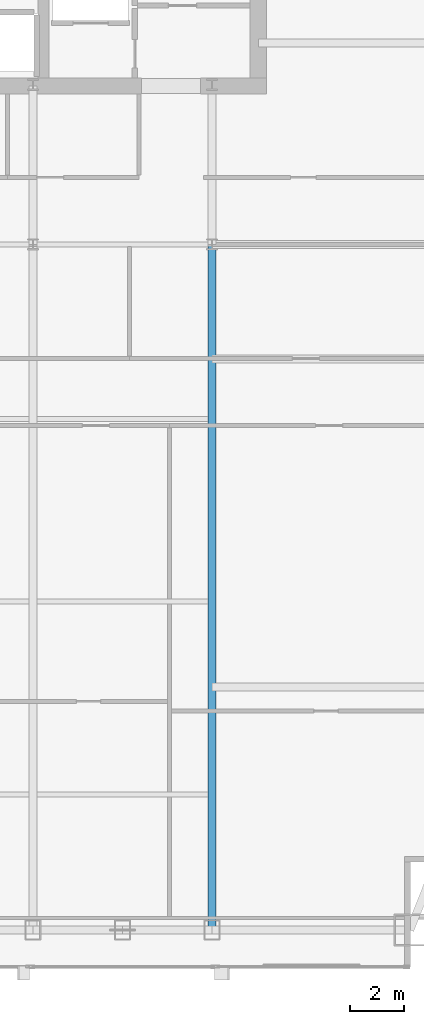
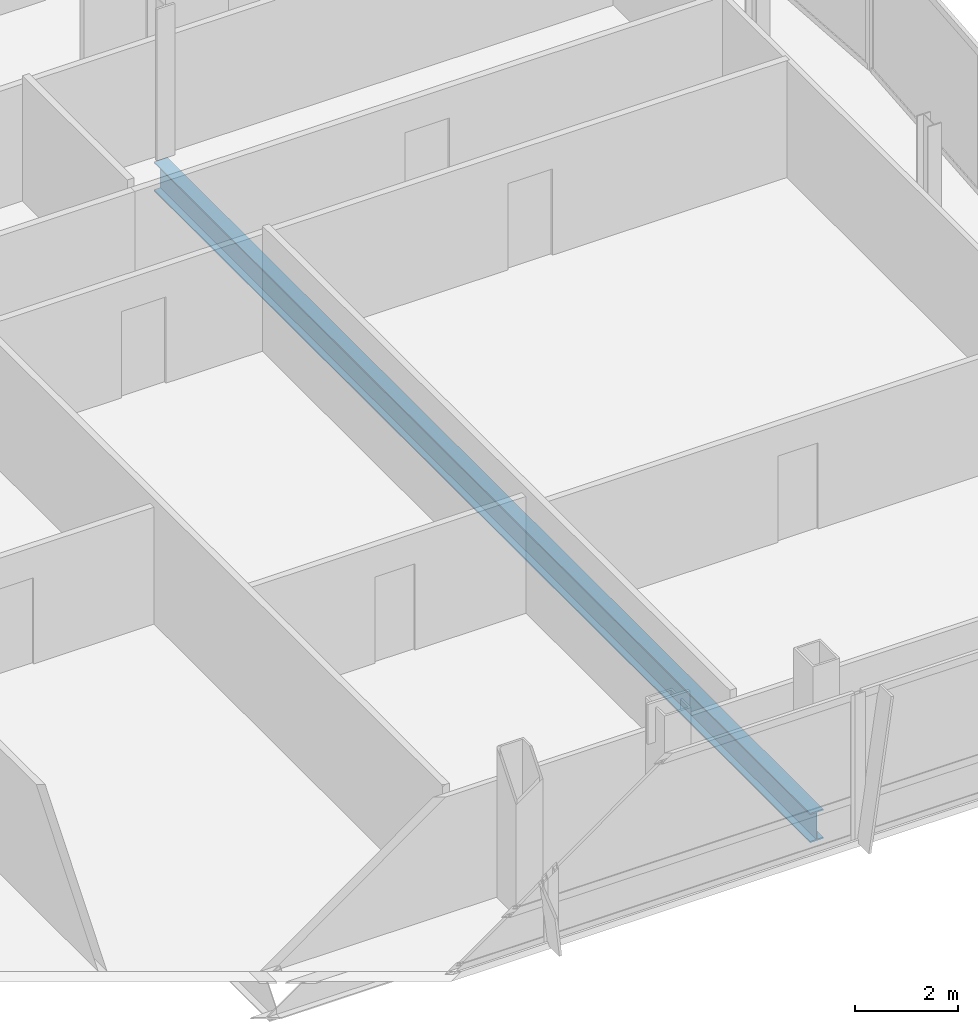
# One storey, part 15 of 30: 1 beam.
"""IFC4 building model written with IfcOpenShell, lengths in metres."""

from ifc_helpers import new_model, si_unit, direction, frame, origin, origin_2d, place, context, subcontext, project, spatial, i_section, extrude, material, material_profile, profile_set, type_object, element, save


model = new_model("IFC4")

# Units and contexts
model_context = context("Model", 3, precision=1e-05, world=origin(), true_north=direction((0.0, 1.0)))
body_context = subcontext(model_context, "Body", "Model", "MODEL_VIEW")
ifc_project = project(units=[si_unit("LENGTHUNIT", "METRE"), si_unit("AREAUNIT", "SQUARE_METRE"), si_unit("VOLUMEUNIT", "CUBIC_METRE"), si_unit("PLANEANGLEUNIT", "RADIAN"), si_unit("MASSUNIT", "GRAM", prefix="KILO")], contexts=[model_context])

# Site, building, storey
site_placement = place(None, origin())
site = spatial("IfcSite", under=ifc_project, at=site_placement, CompositionType="ELEMENT")
building_placement = place(site_placement, origin())
building = spatial("IfcBuilding", under=site, at=building_placement, Name="Khoronbel Lancet Exchange", CompositionType="ELEMENT")
storey_placement = place(building_placement, frame((0.0, 0.0, 217.39990234375)))
storey = spatial("IfcBuildingStorey", under=building, at=storey_placement, Name="L55", CompositionType="ELEMENT", Elevation=217.39990234375)

# Beam
ifc_material = material(Name="Steel S355", Category="steel")
ifc_material_profile = material_profile(ifc_material, i_section(OverallWidth=0.300048828125, OverallDepth=0.699951171875, WebThickness=0.01708984375, FlangeThickness=0.031982421875, at=origin_2d()), Name="HEB 700")
ifc_profile_set = profile_set([ifc_material_profile], Name="Steel S355")
beam_type = type_object("IfcBeamType", Name="BM-BG3", PredefinedType="BEAM", material=ifc_profile_set)
beam_placement = place(storey_placement, frame((54.675048828125, 10.14990234375, -0.510009765625), z_axis=(0.0, 1.0, 0.0), x_axis=(-1.0, 0.0, 0.0)))
element("IfcBeam", 1, at=beam_placement, inside=storey, type_object=beam_type, Name="Level L55 south primary girder GS6", PredefinedType="BEAM", context=body_context, shape_type="SweptSolid", body=[
    extrude(i_section(OverallWidth=0.300048828125, OverallDepth=0.699951171875, WebThickness=0.01708984375, FlangeThickness=0.031982421875, at=origin_2d()), origin(), (0.0, 0.0, 1.0), 25.550048828125),
])

save(model, "model.ifc")
